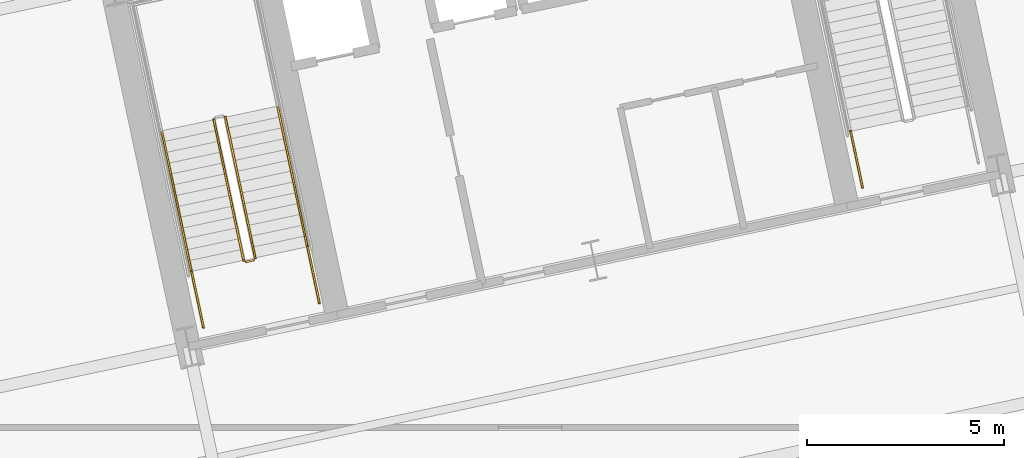
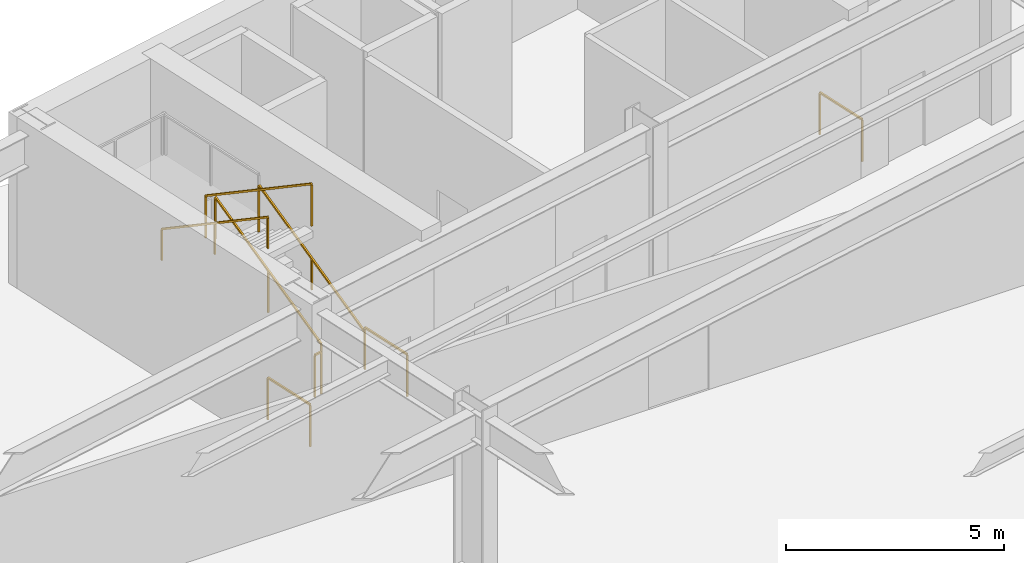
# One storey, part 28 of 30: 8 railings.
"""IFC4 building model written with IfcOpenShell, lengths in metres."""

from ifc_helpers import new_model, si_unit, direction, frame, origin, origin_2d, place, context, subcontext, project, spatial, rectangle, extrude, material, type_object, element, save


model = new_model("IFC4")

# Units and contexts
model_context = context("Model", 3, precision=1e-05, world=origin(), true_north=direction((0.0, 1.0)))
body_context = subcontext(model_context, "Body", "Model", "MODEL_VIEW")
ifc_project = project(units=[si_unit("LENGTHUNIT", "METRE"), si_unit("AREAUNIT", "SQUARE_METRE"), si_unit("VOLUMEUNIT", "CUBIC_METRE"), si_unit("PLANEANGLEUNIT", "RADIAN"), si_unit("MASSUNIT", "GRAM", prefix="KILO")], contexts=[model_context])

# Site, building, storey
site_placement = place(None, origin())
site = spatial("IfcSite", under=ifc_project, at=site_placement, CompositionType="ELEMENT")
building_placement = place(site_placement, origin())
building = spatial("IfcBuilding", under=site, at=building_placement, Name="Haevon Station Towers", CompositionType="ELEMENT")
storey_placement = place(building_placement, frame((0.0, 0.0, 15.60009765625)))
storey = spatial("IfcBuildingStorey", under=building, at=storey_placement, Name="L03", CompositionType="ELEMENT", Elevation=15.60009765625)

# Railings
ifc_material = material(Name="Steel S355", Category="steel")
railing_type_1 = type_object("IfcRailingType", Name="GRD-STR1200", PredefinedType="GUARDRAIL", material=ifc_material)
railing_1_placement = place(storey_placement, frame((100.44140625, 39.69287109375, 0.17138671875)))
element("IfcRailing", 1, at=railing_1_placement, inside=storey, type_object=railing_type_1, Name="L03 ST3 Stair Guard 1", PredefinedType="GUARDRAIL", context=body_context, shape_type="SweptSolid", body=[
    extrude(rectangle(XDim=0.048095703125, YDim=0.048095703125, at=origin_2d()), frame((0.0, 0.0, 1.17578125), z_axis=(-0.17733280689, 0.834207846092, 0.522159310096), x_axis=(-0.978143676638, -0.20793015138, 0.0)), (0.0, 0.0, 1.0), 4.267822265625),
    extrude(rectangle(XDim=0.0419921875, YDim=0.0419921875, at=origin_2d()), origin(), (0.0, 0.0, 1.0), 1.15185546875),
    extrude(rectangle(XDim=0.0419921875, YDim=0.0419921875, at=origin_2d()), frame((-0.37841796875, 1.7802734375, 1.1142578125)), (0.0, 0.0, 1.0), 1.15185546875),
    extrude(rectangle(XDim=0.0419921875, YDim=0.0419921875, at=origin_2d()), frame((-0.7568359375, 3.560302734375, 2.228515625)), (0.0, 0.0, 1.0), 1.15185546875),
])
railing_2_placement = place(storey_placement, frame((99.39111328125, 43.19091796875, 2.5712890625)))
element("IfcRailing", 2, at=railing_2_placement, inside=storey, type_object=railing_type_1, Name="L03 ST3 Stair Guard 6", PredefinedType="GUARDRAIL", context=body_context, shape_type="SweptSolid", body=[
    extrude(rectangle(XDim=0.048095703125, YDim=0.048095703125, at=origin_2d()), frame((0.0, 0.0, 1.17578125), z_axis=(0.177324344861, -0.834225240467, 0.522134393512), x_axis=(0.978146576304, 0.207916510322, 0.0)), (0.0, 0.0, 1.0), 4.26806640625),
    extrude(rectangle(XDim=0.0419921875, YDim=0.0419921875, at=origin_2d()), origin(), (0.0, 0.0, 1.0), 1.15185546875),
    extrude(rectangle(XDim=0.0419921875, YDim=0.0419921875, at=origin_2d()), frame((0.37841796875, -1.7802734375, 1.1142578125)), (0.0, 0.0, 1.0), 1.15185546875),
    extrude(rectangle(XDim=0.0419921875, YDim=0.0419921875, at=origin_2d()), frame((0.7568359375, -3.560546875, 2.228515625)), (0.0, 0.0, 1.0), 1.15185546875),
])
railing_3_placement = place(storey_placement, frame((100.40283203125, 39.633544921875, 0.0)))
element("IfcRailing", 3, at=railing_3_placement, inside=storey, type_object=railing_type_1, Name="L03 ST3 Stair Guard 7", PredefinedType="GUARDRAIL", context=body_context, shape_type="SweptSolid", body=[
    extrude(rectangle(XDim=0.048095703125, YDim=0.048095703125, at=origin_2d()), frame((0.0, 0.0, 1.17578125), z_axis=(-0.977962931203, -0.208778603291, 0.0), x_axis=(0.208778603291, -0.977962931203, 0.0)), (0.0, 0.0, 1.0), 0.199951171875),
    extrude(rectangle(XDim=0.0419921875, YDim=0.0419921875, at=origin_2d()), origin(), (0.0, 0.0, 1.0), 1.15185546875),
    extrude(rectangle(XDim=0.0419921875, YDim=0.0419921875, at=origin_2d()), frame((-0.195556640625, -0.041748046875, 0.0)), (0.0, 0.0, 1.0), 1.15185546875),
])
for number, where, name in (
    (4, (102.0634765625, 38.55517578125, 0.0), "L03 ST3 Stair Guard 8"),
    (5, (99.12890625, 37.931396484375, 0.0), "L03 ST3 Stair Guard 9"),
):
    element("IfcRailing", number, at=place(storey_placement, frame(where)), inside=storey, type_object=railing_type_1, Name=name, PredefinedType="GUARDRAIL", context=body_context, shape_type="SweptSolid", body=[
        extrude(rectangle(XDim=0.048095703125, YDim=0.048095703125, at=origin_2d()), frame((0.0, 0.0, 1.17578125), z_axis=(-0.207953405961, 0.978138732977, 0.0), x_axis=(-0.978138732977, -0.207953405961, 0.0)), (0.0, 0.0, 1.0), 1.449951171875),
        extrude(rectangle(XDim=0.0419921875, YDim=0.0419921875, at=origin_2d()), origin(), (0.0, 0.0, 1.0), 1.15185546875),
        extrude(rectangle(XDim=0.0419921875, YDim=0.0419921875, at=origin_2d()), frame((-0.301513671875, 1.418212890625, 0.0)), (0.0, 0.0, 1.0), 1.15185546875),
    ])
railing_4_placement = place(storey_placement, frame((115.816162109375, 41.478271484375, 0.0)))
element("IfcRailing", 6, at=railing_4_placement, inside=storey, type_object=railing_type_1, Name="L03 ST4 Stair Guard 9", PredefinedType="GUARDRAIL", context=body_context, shape_type="SweptSolid", body=[
    extrude(rectangle(XDim=0.048095703125, YDim=0.048095703125, at=origin_2d()), frame((0.0, 0.0, 1.17578125), z_axis=(-0.207919161079, 0.978146012851, 0.0), x_axis=(-0.978146012851, -0.207919161079, 0.0)), (0.0, 0.0, 1.0), 1.4501953125),
    extrude(rectangle(XDim=0.0419921875, YDim=0.0419921875, at=origin_2d()), origin(), (0.0, 0.0, 1.0), 1.15185546875),
    extrude(rectangle(XDim=0.0419921875, YDim=0.0419921875, at=origin_2d()), frame((-0.301513671875, 1.41845703125, 0.0)), (0.0, 0.0, 1.0), 1.15185546875),
])
railing_type_2 = type_object("IfcRailingType", Name="HND-STR900", PredefinedType="HANDRAIL", material=ifc_material)
railing_5_placement = place(storey_placement, frame((101.761962890625, 39.973388671875, 0.17138671875)))
element("IfcRailing", 7, at=railing_5_placement, inside=storey, type_object=railing_type_2, Name="L03 ST3 Stair Handrail 1", PredefinedType="HANDRAIL", context=body_context, shape_type="SweptSolid", body=[
    extrude(rectangle(XDim=0.048095703125, YDim=0.048095703125, at=origin_2d()), frame((0.0, 0.0, 0.8759765625), z_axis=(-0.177324344861, 0.834225240467, 0.522134393512), x_axis=(-0.978146576304, -0.207916510322, 0.0)), (0.0, 0.0, 1.0), 4.26806640625),
    extrude(rectangle(XDim=0.0419921875, YDim=0.0419921875, at=origin_2d()), origin(), (0.0, 0.0, 1.0), 0.851806640625),
    extrude(rectangle(XDim=0.0419921875, YDim=0.0419921875, at=origin_2d()), frame((-0.37841796875, 1.7802734375, 1.1142578125)), (0.0, 0.0, 1.0), 0.851806640625),
    extrude(rectangle(XDim=0.0419921875, YDim=0.0419921875, at=origin_2d()), frame((-0.7568359375, 3.560546875, 2.228515625)), (0.0, 0.0, 1.0), 0.851806640625),
])
railing_6_placement = place(storey_placement, frame((98.070556640625, 42.91015625, 2.5712890625)))
element("IfcRailing", 8, at=railing_6_placement, inside=storey, type_object=railing_type_2, Name="L03 ST3 Stair Handrail 2", PredefinedType="HANDRAIL", context=body_context, shape_type="SweptSolid", body=[
    extrude(rectangle(XDim=0.048095703125, YDim=0.048095703125, at=origin_2d()), frame((0.0, 0.0, 0.8759765625), z_axis=(0.177324344861, -0.834225240467, 0.522134393512), x_axis=(0.978146576304, 0.207916510322, 0.0)), (0.0, 0.0, 1.0), 4.26806640625),
    extrude(rectangle(XDim=0.0419921875, YDim=0.0419921875, at=origin_2d()), origin(), (0.0, 0.0, 1.0), 0.851806640625),
    extrude(rectangle(XDim=0.0419921875, YDim=0.0419921875, at=origin_2d()), frame((0.37841796875, -1.7802734375, 1.1142578125)), (0.0, 0.0, 1.0), 0.851806640625),
    extrude(rectangle(XDim=0.0419921875, YDim=0.0419921875, at=origin_2d()), frame((0.7568359375, -3.560546875, 2.228515625)), (0.0, 0.0, 1.0), 0.851806640625),
])

save(model, "model.ifc")
